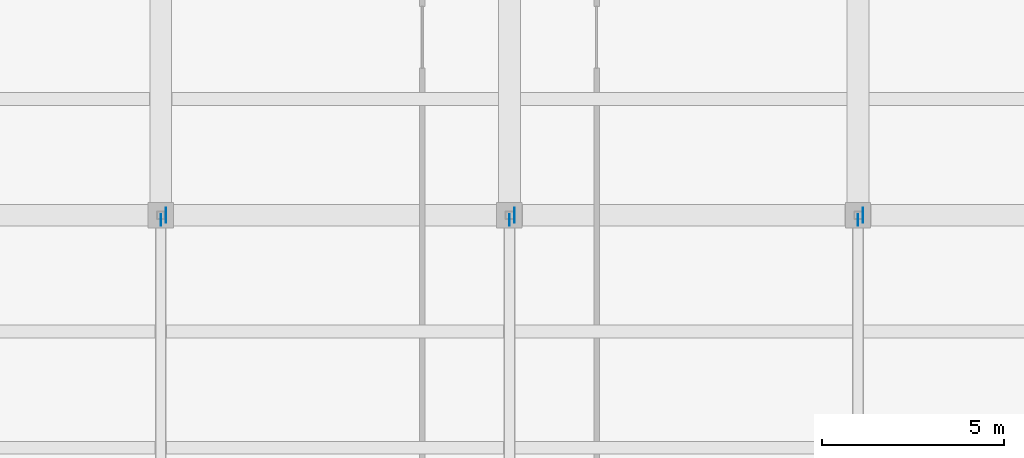
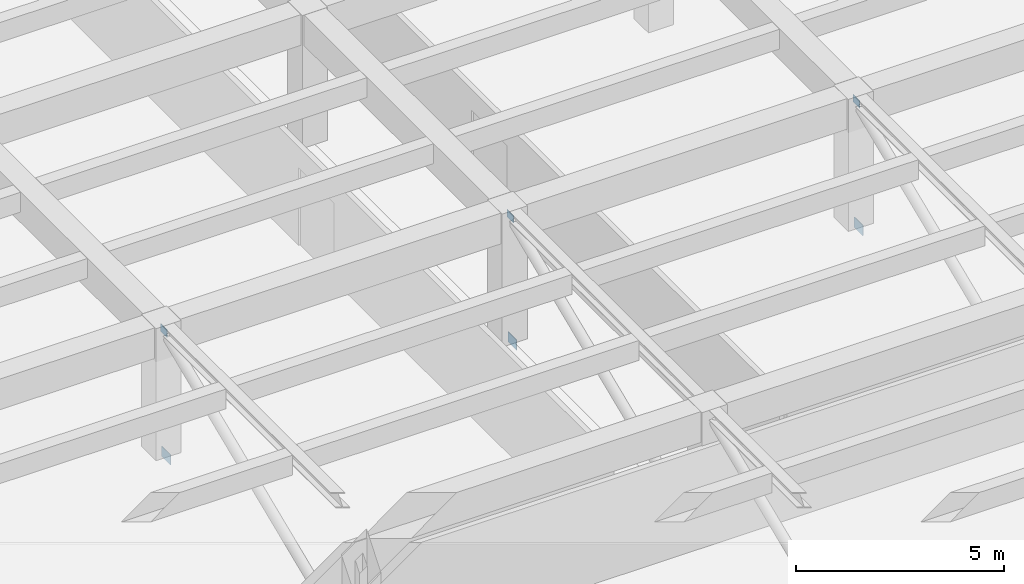
# One storey, part 40 of 62: 6 plates.
"""IFC4 building model written with IfcOpenShell, lengths in metres."""

from ifc_helpers import new_model, si_unit, direction, frame, origin, origin_2d, place, context, subcontext, project, spatial, rectangle, extrude, material, layer, layer_set, type_object, element, save


model = new_model("IFC4")

# Units and contexts
model_context = context("Model", 3, precision=1e-05, world=origin(), true_north=direction((0.0, 1.0)))
body_context = subcontext(model_context, "Body", "Model", "MODEL_VIEW")
ifc_project = project(units=[si_unit("LENGTHUNIT", "METRE"), si_unit("AREAUNIT", "SQUARE_METRE"), si_unit("VOLUMEUNIT", "CUBIC_METRE"), si_unit("PLANEANGLEUNIT", "RADIAN"), si_unit("MASSUNIT", "GRAM", prefix="KILO")], contexts=[model_context])

# Site, building, storey
site_placement = place(None, origin())
site = spatial("IfcSite", under=ifc_project, at=site_placement, CompositionType="ELEMENT")
building_placement = place(site_placement, origin())
building = spatial("IfcBuilding", under=site, at=building_placement, Name="Bempovik Park Faculty of Sciences", CompositionType="ELEMENT")
storey_placement = place(building_placement, frame((0.0, 0.0, 9.89990234375)))
storey = spatial("IfcBuildingStorey", under=building, at=storey_placement, Name="L02", CompositionType="ELEMENT", Elevation=9.89990234375)

# Plates
ifc_material = material(Name="Steel S355", Category="steel")
ifc_layer_1 = layer(ifc_material, 0.01806640625)
ifc_layer_set_1 = layer_set([ifc_layer_1], Name="Steel S355")
plate_type_1 = type_object("IfcPlateType", Name="PL-22 Steel Plate 420x300x18", PredefinedType="SHEET", material=ifc_layer_set_1)
for number, where, z_axis, x_axis, name in (
    (1, (79.340087890625, 39.0, -0.35009765625), (0.0, 0.0, 1.0), (1.0, 0.0, 0.0), "Cantilever Gusset Plate CT3-5-B"),
    (2, (88.93994140625, 39.0, -0.35009765625), (0.0, 0.0, 1.0), (1.0, 0.0, 0.0), "Cantilever Gusset Plate CT4-5-B"),
    (3, (98.5400390625, 39.0, -0.35009765625), (0.0, 0.0, 1.0), (1.0, 0.0, 0.0), "Cantilever Gusset Plate CT5-5-B"),
):
    element("IfcPlate", number, at=place(storey_placement, frame(where, z_axis=z_axis, x_axis=x_axis)), inside=storey, type_object=plate_type_1, Name=name, PredefinedType="SHEET", context=body_context, shape_type="SweptSolid", body=[
        extrude(rectangle(XDim=0.01806640625, YDim=0.419921875, at=origin_2d()), origin(), (0.0, 0.0, 1.0), 0.300048828125),
    ])
ifc_layer_2 = layer(ifc_material, 0.011962890625)
ifc_layer_set_2 = layer_set([ifc_layer_2], Name="Steel S355")
plate_type_2 = type_object("IfcPlateType", Name="PL-26 Steel Plate 320x220x12", PredefinedType="SHEET", material=ifc_layer_set_2)
for number, where, z_axis, x_axis, name in (
    (4, (79.199951171875, 38.864990234375, 3.48388671875), (0.0, 0.0, 1.0), (1.0, 0.0, 0.0), "Brace/Strut End Gusset Plate CT3-BRL2-4-E2"),
    (5, (88.800048828125, 38.864990234375, 3.48388671875), (0.0, 0.0, 1.0), (1.0, 0.0, 0.0), "Brace/Strut End Gusset Plate CT4-BRL2-4-E2"),
    (6, (98.39990234375, 38.864990234375, 3.48388671875), (0.0, 0.0, 1.0), (1.0, 0.0, 0.0), "Brace/Strut End Gusset Plate CT5-BRL2-4-E2"),
):
    element("IfcPlate", number, at=place(storey_placement, frame(where, z_axis=z_axis, x_axis=x_axis)), inside=storey, type_object=plate_type_2, Name=name, PredefinedType="SHEET", context=body_context, shape_type="SweptSolid", body=[
        extrude(rectangle(XDim=0.011962890625, YDim=0.320068359375, at=origin_2d()), origin(), (0.0, 0.0, 1.0), 0.219970703125),
    ])

save(model, "model.ifc")
